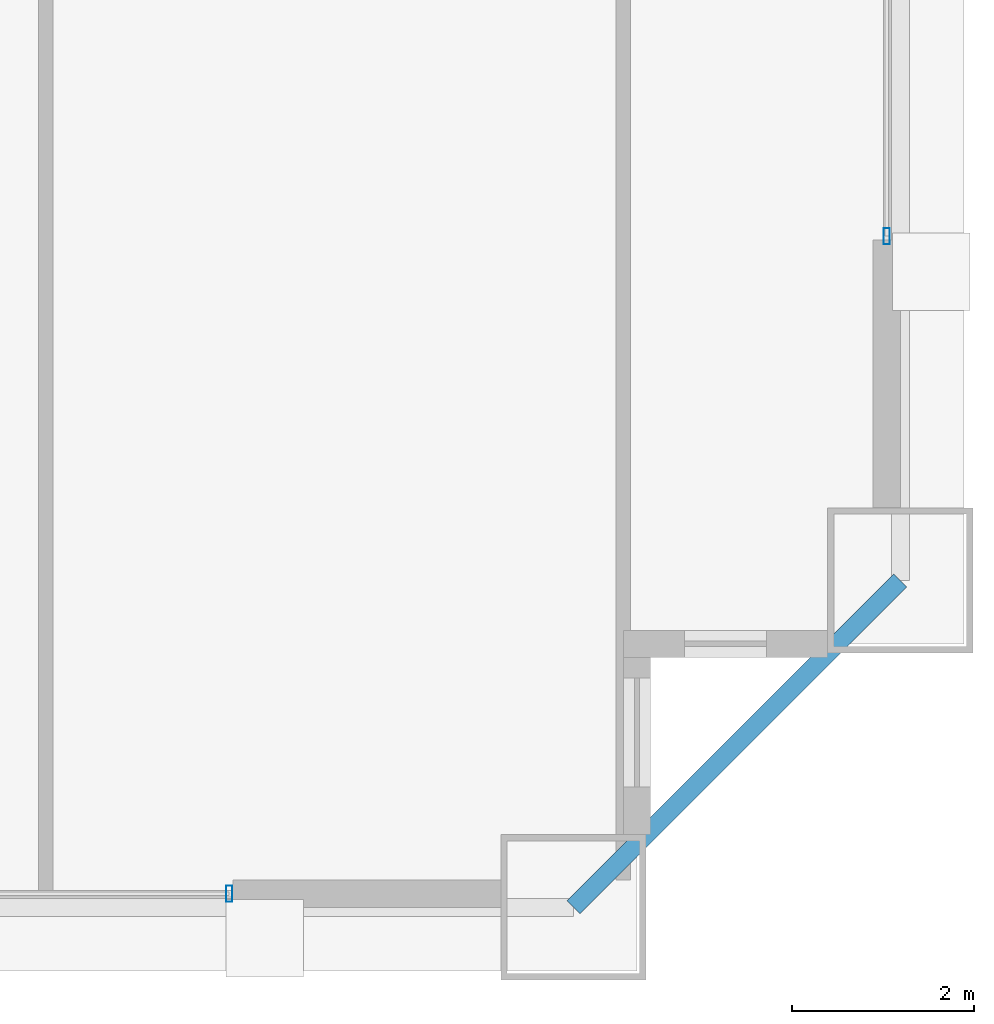
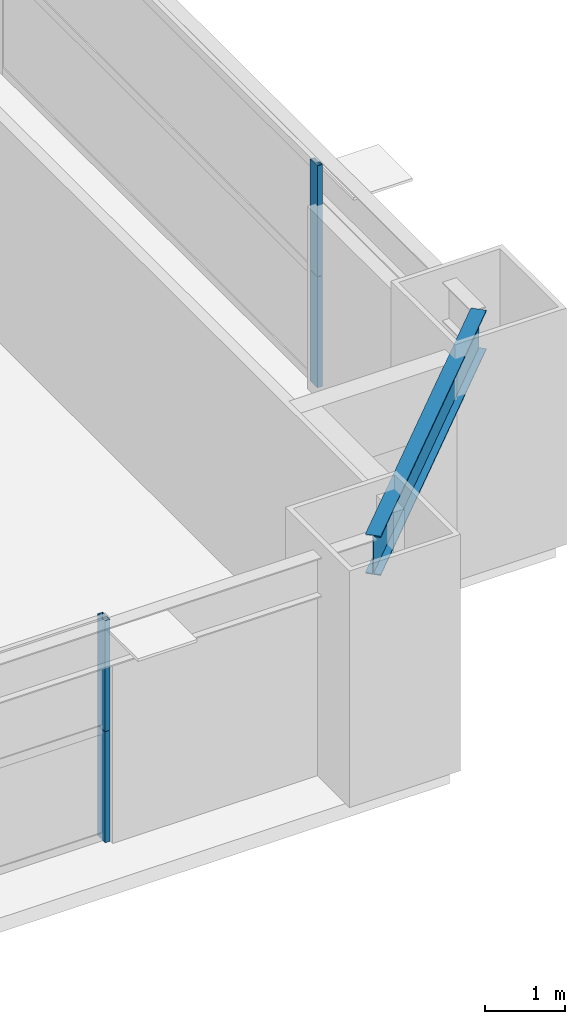
# One storey, part 15 of 38: 4 members, 1 beam, 2 elements without a shape of their own.
"""IFC4 building model written with IfcOpenShell, lengths in metres."""

from ifc_helpers import new_model, si_unit, direction, frame, origin, origin_2d, place, context, subcontext, project, spatial, hollow_rectangle, i_section, extrude, source, transform, mapped, material, layer, layer_set, material_profile, profile_set, type_object, element, aggregate, save


model = new_model("IFC4")

# Units and contexts
model_context = context("Model", 3, precision=1e-05, world=origin(), true_north=direction((0.0, 1.0)))
body_context = subcontext(model_context, "Body", "Model", "MODEL_VIEW")
ifc_project = project(units=[si_unit("LENGTHUNIT", "METRE"), si_unit("AREAUNIT", "SQUARE_METRE"), si_unit("VOLUMEUNIT", "CUBIC_METRE"), si_unit("PLANEANGLEUNIT", "RADIAN"), si_unit("MASSUNIT", "GRAM", prefix="KILO"), si_unit("THERMODYNAMICTEMPERATUREUNIT", "KELVIN"), si_unit("POWERUNIT", "WATT")], contexts=[model_context])

# Site, building, storey
site_placement = place(None, origin())
site = spatial("IfcSite", under=ifc_project, at=site_placement, CompositionType="ELEMENT")
building_placement = place(site_placement, origin())
building = spatial("IfcBuilding", under=site, at=building_placement, Name="Yuzanri Waterfront Tower", CompositionType="ELEMENT")
storey_placement = place(building_placement, frame((0.0, 0.0, 90.199951171875)))
storey = spatial("IfcBuildingStorey", under=building, at=storey_placement, Name="L23", CompositionType="ELEMENT", Elevation=90.199951171875)

# Beam
ifc_material_1 = material(Name="Steel Q355B", Category="steel")
ifc_material_profile_1 = material_profile(ifc_material_1, i_section(OverallWidth=0.199951171875, OverallDepth=0.60009765625, WebThickness=0.010986328125, FlangeThickness=0.01708984375, at=origin_2d()), Name="HN 600x200x11x17")
ifc_profile_set_1 = profile_set([ifc_material_profile_1], Name="Steel Q355B")
beam_type = type_object("IfcBeamType", Name="Perimeter Spandrel Q355B HN 600x200", PredefinedType="SPANDREL", material=ifc_profile_set_1)
shared_shape_1 = source(origin(), body_context, "Body", "SweptSolid", [
    extrude(i_section(OverallWidth=0.199951171875, OverallDepth=0.60009765625, WebThickness=0.010986328125, FlangeThickness=0.01708984375, at=origin_2d()), origin(), (0.0, 0.0, 1.0), 5.09130859375),
])
beam_placement = place(storey_placement, frame((57.0, 2.199951171875, 3.080078125), z_axis=(0.707106781187, 0.707106781187, 0.0), x_axis=(-0.707106781187, 0.707106781187, 0.0)))
element("IfcBeam", 1, at=beam_placement, inside=storey, type_object=beam_type, Name="L23 Perimeter Spandrel S3-E1", PredefinedType="SPANDREL", context=body_context, shape_type="MappedRepresentation", body=[
    mapped(shared_shape_1, transform((0.0, 0.0, 0.0), scale=1.0)),
])

# Curtain wall, members
ifc_material_2 = material(Name="Anodized Architectural Bronze", Category="metal")
ifc_layer = layer(ifc_material_2, 0.159912109375)
ifc_layer_set = layer_set([ifc_layer], Name="Anodized Architectural Bronze")
curtain_wall_type = type_object("IfcCurtainWallType", Name="Anodized Bronze Hotel Upper-Tier Solar-Control Unitized Curtain Wall 7800", PredefinedType="NOTDEFINED", material=ifc_layer_set)
curtain_wall_1_placement = place(storey_placement, origin())
curtain_wall_1 = element("IfcCurtainWall", 2, at=curtain_wall_1_placement, inside=storey, type_object=curtain_wall_type, Name="L23 Curtain Wall CW-L23-SR", PredefinedType="NOTDEFINED")
ifc_material_3 = material(Name="Anodized Architectural Bronze", Category="metal")
ifc_material_profile_2 = material_profile(ifc_material_3, hollow_rectangle(XDim=0.070068359375, YDim=0.179931640625, WallThickness=0.00390625, at=origin_2d()), Name="CWM 70x180")
ifc_profile_set_2 = profile_set([ifc_material_profile_2], Name="Anodized Architectural Bronze")
member_type = type_object("IfcMemberType", Name="Anodized Bronze Standard Curtain-Wall Mullion 70x180", PredefinedType="MULLION", material=ifc_profile_set_2)
shared_shape_2 = source(origin(), body_context, "Body", "SweptSolid", [
    extrude(hollow_rectangle(XDim=0.070068359375, YDim=0.179931640625, WallThickness=0.00390625, at=origin_2d()), origin(), (0.0, 0.0, 1.0), 1.68798828125),
])
member_1_placement = place(storey_placement, frame((53.2099609375, 2.35009765625, 0.0), z_axis=(0.0, 0.0, 1.0), x_axis=(1.0, 0.0, 0.0)))
member_1 = element("IfcMember", 3, at=member_1_placement, type_object=member_type, Name="CW-L23-SR Lower Mullion 02", PredefinedType="MULLION", context=body_context, shape_type="MappedRepresentation", body=[
    mapped(shared_shape_2, transform((0.0, 0.0, 0.0), scale=1.0)),
])
member_2_placement = place(storey_placement, frame((53.2099609375, 2.35009765625, 1.692138671875), z_axis=(0.0, 0.0, 1.0), x_axis=(1.0, 0.0, 0.0)))
member_2 = element("IfcMember", 4, at=member_2_placement, type_object=member_type, Name="CW-L23-SR Upper Mullion 02", PredefinedType="MULLION", context=body_context, shape_type="MappedRepresentation", body=[
    mapped(shared_shape_2, transform((0.0, 0.0, 0.0), scale=1.0)),
])
aggregate(curtain_wall_1, [member_1, member_2])

curtain_wall_2_placement = place(storey_placement, origin())
curtain_wall_2 = element("IfcCurtainWall", 5, at=curtain_wall_2_placement, inside=storey, type_object=curtain_wall_type, Name="L23 Curtain Wall CW-L23-EL", PredefinedType="NOTDEFINED")
member_3_placement = place(storey_placement, frame((60.449951171875, 9.590087890625, 0.0), z_axis=(0.0, 0.0, 1.0), x_axis=(1.0, 0.0, 0.0)))
member_3 = element("IfcMember", 6, at=member_3_placement, type_object=member_type, Name="CW-L23-EL Lower Mullion 00", PredefinedType="MULLION", context=body_context, shape_type="MappedRepresentation", body=[
    mapped(shared_shape_2, transform((0.0, 0.0, 0.0), scale=1.0)),
])
member_4_placement = place(storey_placement, frame((60.449951171875, 9.590087890625, 1.692138671875), z_axis=(0.0, 0.0, 1.0), x_axis=(1.0, 0.0, 0.0)))
member_4 = element("IfcMember", 7, at=member_4_placement, type_object=member_type, Name="CW-L23-EL Upper Mullion 00", PredefinedType="MULLION", context=body_context, shape_type="MappedRepresentation", body=[
    mapped(shared_shape_2, transform((0.0, 0.0, 0.0), scale=1.0)),
])
aggregate(curtain_wall_2, [member_3, member_4])

save(model, "model.ifc")
